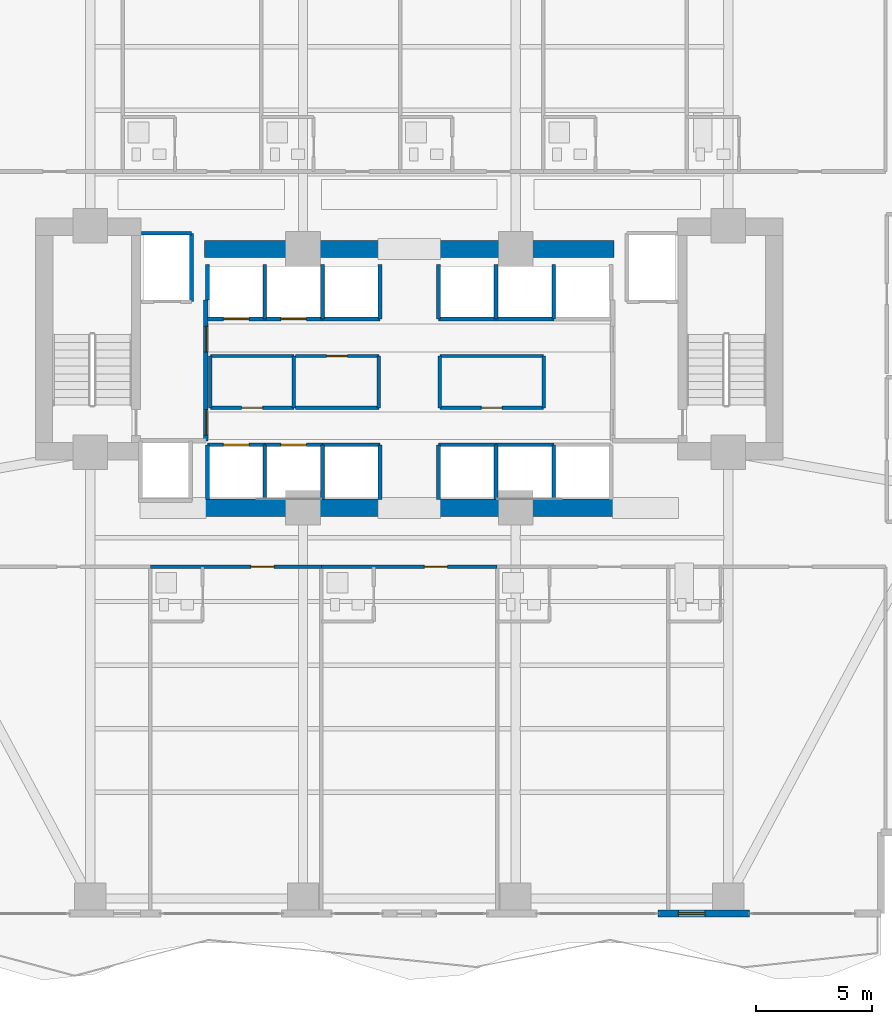
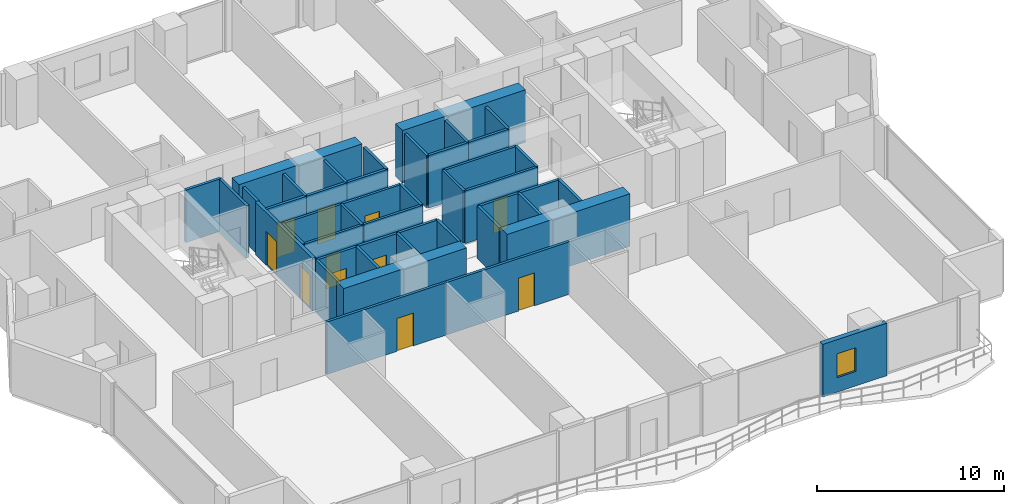
# One storey, part 22 of 29: 45 walls, 11 doors, 1 window, 12 openings.
"""IFC4 building model written with IfcOpenShell, lengths in metres."""

from ifc_helpers import new_model, si_unit, direction, frame, frame_2d, origin, place, context, subcontext, project, spatial, rectangle, extrude, material, layer, layer_set, type_object, element, fill, save


model = new_model("IFC4")

# Units and contexts
model_context = context("Model", 3, precision=1e-05, world=origin(), true_north=direction((0.0, 1.0)))
body_context = subcontext(model_context, "Body", "Model", "MODEL_VIEW")
ifc_project = project(units=[si_unit("LENGTHUNIT", "METRE"), si_unit("AREAUNIT", "SQUARE_METRE"), si_unit("VOLUMEUNIT", "CUBIC_METRE"), si_unit("PLANEANGLEUNIT", "RADIAN"), si_unit("MASSUNIT", "GRAM", prefix="KILO")], contexts=[model_context])

# Site, building, storey
site_placement = place(None, origin())
site = spatial("IfcSite", under=ifc_project, at=site_placement, CompositionType="ELEMENT")
building_placement = place(site_placement, origin())
building = spatial("IfcBuilding", under=site, at=building_placement, Name="Zuhayl Quay Hotel", CompositionType="ELEMENT")
storey_placement = place(building_placement, frame((0.0, 0.0, 95.64990234375)))
storey = spatial("IfcBuildingStorey", under=building, at=storey_placement, Name="L23", CompositionType="ELEMENT", Elevation=95.64990234375)

# Walls
ifc_material_1 = material(Name="Concrete C60/75", Category="concrete")
ifc_layer_1 = layer(ifc_material_1, 0.75, Name="Concrete C60/75", Category="concrete")
ifc_layer_set_1 = layer_set([ifc_layer_1], Name="Concrete C60/75")
wall_type_1 = type_object("IfcWallType", Name="WL_CORE_750", PredefinedType="SHEAR", material=ifc_layer_set_1)
for number, where, z_axis, x_axis, name in (
    (1, (-8.85009765625, 2.14990234375, 0.0), (0.0, 0.0, 1.0), (1.0, 0.0, 0.0), "L23 Core Shear Wall CW_SC_W"),
    (2, (1.25, 2.14990234375, 0.0), (0.0, 0.0, 1.0), (1.0, 0.0, 0.0), "L23 Core Shear Wall CW_SC_E"),
    (3, (-8.85009765625, 13.35009765625, 0.0), (0.0, 0.0, 1.0), (1.0, 0.0, 0.0), "L23 Core Shear Wall CW_NC_W"),
    (4, (1.25, 13.35009765625, 0.0), (0.0, 0.0, 1.0), (1.0, 0.0, 0.0), "L23 Core Shear Wall CW_NC_E"),
):
    element("IfcWall", number, at=place(storey_placement, frame(where, z_axis=z_axis, x_axis=x_axis)), inside=storey, type_object=wall_type_1, Name=name, PredefinedType="SHEAR", context=body_context, shape_type="SweptSolid", body=[
        extrude(rectangle(XDim=7.60009765625, YDim=0.75, at=frame_2d((3.800048828125, 0.0))), origin(), (0.0, 0.0, 1.0), 3.43017578125),
    ])

# Wall, opening, window
ifc_material_2 = material(Name="Precast concrete C45/55", Category="concrete")
ifc_layer_2 = layer(ifc_material_2, 0.300048828125, Name="Precast concrete C45/55", Category="concrete")
ifc_layer_set_2 = layer_set([ifc_layer_2], Name="Precast concrete C45/55")
wall_type_2 = type_object("IfcWallType", Name="WL_EXT_300", PredefinedType="STANDARD", material=ifc_layer_set_2)
wall_1_placement = place(storey_placement, frame((14.719970703125, -15.39990234375, 0.0), z_axis=(0.0, 0.0, 1.0), x_axis=(-1.0, 0.0, 0.0)))
wall_1 = element("IfcWall", 5, at=wall_1_placement, inside=storey, type_object=wall_type_2, Name="L23 Exterior Precast Wall ENV_L23_S_EW2", PredefinedType="STANDARD", context=body_context, shape_type="SweptSolid", body=[
    extrude(rectangle(XDim=3.969970703125, YDim=0.300048828125, at=frame_2d((1.98486328125, 0.0))), origin(), (0.0, 0.0, 1.0), 3.43017578125),
])
opening_1_placement = place(wall_1_placement, frame((1.93505859375, 0.0, 0.949951171875)))
opening_1 = element("IfcOpeningElement", 6, at=opening_1_placement, cuts=wall_1, Name="Opening W01N", PredefinedType="OPENING", context=body_context, shape_type="SweptSolid", body=[
    extrude(rectangle(XDim=1.14990234375, YDim=1.550048828125, at=frame_2d((0.574951171875, 0.77490234375))), frame((0.0, 0.159912109375, 0.0), z_axis=(0.0, -1.0, 0.0), x_axis=(1.0, 0.0, 0.0)), (0.0, 0.0, 1.0), 0.320068359375),
])
ifc_material_3 = material(Name="Dark Ceramic-Fritted Solar Glass", Category="glass")
window_type = type_object("IfcWindowType", Name="WN_NOTCH_1350", PartitioningType="SINGLE_PANEL", PredefinedType="WINDOW", material=ifc_material_3)
window_placement = place(opening_1_placement, origin())
window = element("IfcWindow", 7, at=window_placement, inside=storey, type_object=window_type, Name="L23 Operable Facade Window 2-1", OverallHeight=1.550048828125, OverallWidth=1.14990234375, PartitioningType="SINGLE_PANEL", PredefinedType="WINDOW", context=body_context, shape_type="SweptSolid", body=[
    extrude(rectangle(XDim=1.14990234375, YDim=1.550048828125, at=frame_2d((0.574951171875, 0.77490234375))), frame((0.0, 0.030029296875, 0.0), z_axis=(0.0, -1.0, 0.0), x_axis=(1.0, 0.0, 0.0)), (0.0, 0.0, 1.0), 0.06005859375),
])
fill(opening_1, window)

# Wall, opening, door
ifc_material_4 = material(Name="Acoustic Gypsum Partition STC-58")
ifc_layer_3 = layer(ifc_material_4, 0.14990234375, Name="Acoustic Gypsum Partition STC-58")
ifc_layer_set_3 = layer_set([ifc_layer_3], Name="Acoustic Gypsum Partition STC-58")
wall_type_3 = type_object("IfcWallType", Name="WL_PART_150", PredefinedType="PARTITIONING", material=ifc_layer_set_3)
wall_2_placement = place(storey_placement, frame((-8.610107421875, 6.47998046875, 0.0), z_axis=(0.0, 0.0, 1.0), x_axis=(1.0, 0.0, 0.0)))
wall_2 = element("IfcWall", 8, at=wall_2_placement, inside=storey, type_object=wall_type_3, Name="L23 Partition IW_L23_CORE_SW_S", PredefinedType="PARTITIONING", context=body_context, shape_type="SweptSolid", body=[
    extrude(rectangle(XDim=3.6201171875, YDim=0.14990234375, at=frame_2d((1.81005859375, 0.0))), origin(), (0.0, 0.0, 1.0), 3.43017578125),
])
opening_2_placement = place(wall_2_placement, frame((1.360107421875, 0.0, 0.0)))
opening_2 = element("IfcOpeningElement", 9, at=opening_2_placement, cuts=wall_2, Name="Opening D06", PredefinedType="OPENING", context=body_context, shape_type="SweptSolid", body=[
    extrude(rectangle(XDim=0.89990234375, YDim=2.14990234375, at=frame_2d((0.449951171875, 1.074951171875))), frame((0.0, 0.0849609375, 0.0), z_axis=(0.0, -1.0, 0.0), x_axis=(1.0, 0.0, 0.0)), (0.0, 0.0, 1.0), 0.169921875),
])
ifc_material_5 = material(Name="Steel ASTM A992 Grade 50", Category="steel")
door_type_1 = type_object("IfcDoorType", Name="DR_INT_900", OperationType="NOTDEFINED", PredefinedType="DOOR", material=ifc_material_5)
door_1_placement = place(opening_2_placement, origin())
door_1 = element("IfcDoor", 10, at=door_1_placement, inside=storey, type_object=door_type_1, Name="L23 Floor Switchgear Closet Door", OperationType="SINGLE_SWING_LEFT", OverallHeight=2.14990234375, OverallWidth=0.89990234375, PredefinedType="DOOR", context=body_context, shape_type="SweptSolid", body=[
    extrude(rectangle(XDim=0.89990234375, YDim=2.14990234375, at=frame_2d((0.449951171875, 1.074951171875))), frame((0.0, 0.02490234375, 0.0), z_axis=(0.0, -1.0, 0.0), x_axis=(1.0, 0.0, 0.0)), (0.0, 0.0, 1.0), 0.050048828125),
])
fill(opening_2, door_1)

wall_3_placement = place(storey_placement, frame((-4.929931640625, 8.719970703125, 0.0), z_axis=(0.0, 0.0, 1.0), x_axis=(1.0, 0.0, 0.0)))
wall_3 = element("IfcWall", 11, at=wall_3_placement, inside=storey, type_object=wall_type_3, Name="L23 Partition IW_L23_CORE_BM_N", PredefinedType="PARTITIONING", context=body_context, shape_type="SweptSolid", body=[
    extrude(rectangle(XDim=3.60986328125, YDim=0.14990234375, at=frame_2d((1.804931640625, 0.0))), origin(), (0.0, 0.0, 1.0), 3.43017578125),
])
opening_3_placement = place(wall_3_placement, frame((1.35498046875, 0.0, 0.0)))
opening_3 = element("IfcOpeningElement", 12, at=opening_3_placement, cuts=wall_3, Name="Opening D06", PredefinedType="OPENING", context=body_context, shape_type="SweptSolid", body=[
    extrude(rectangle(XDim=0.89990234375, YDim=2.14990234375, at=frame_2d((0.449951171875, 1.074951171875))), frame((0.0, 0.0849609375, 0.0), z_axis=(0.0, -1.0, 0.0), x_axis=(1.0, 0.0, 0.0)), (0.0, 0.0, 1.0), 0.169921875),
])
door_2_placement = place(opening_3_placement, origin())
door_2 = element("IfcDoor", 13, at=door_2_placement, inside=storey, type_object=door_type_1, Name="L23 Telecom and BMS Closet Door", OperationType="SINGLE_SWING_RIGHT", OverallHeight=2.14990234375, OverallWidth=0.89990234375, PredefinedType="DOOR", context=body_context, shape_type="SweptSolid", body=[
    extrude(rectangle(XDim=0.89990234375, YDim=2.14990234375, at=frame_2d((0.449951171875, 1.074951171875))), frame((0.0, 0.02490234375, 0.0), z_axis=(0.0, -1.0, 0.0), x_axis=(1.0, 0.0, 0.0)), (0.0, 0.0, 1.0), 0.050048828125),
])
fill(opening_3, door_2)

wall_4_placement = place(storey_placement, frame((1.320068359375, 6.47998046875, 0.0), z_axis=(0.0, 0.0, 1.0), x_axis=(1.0, 0.0, 0.0)))
wall_4 = element("IfcWall", 14, at=wall_4_placement, inside=storey, type_object=wall_type_3, Name="L23 Partition IW_L23_CORE_PN_S", PredefinedType="PARTITIONING", context=body_context, shape_type="SweptSolid", body=[
    extrude(rectangle(XDim=4.489990234375, YDim=0.14990234375, at=frame_2d((2.2451171875, 0.0))), origin(), (0.0, 0.0, 1.0), 3.43017578125),
])
opening_4_placement = place(wall_4_placement, frame((1.794921875, 0.0, 0.0)))
opening_4 = element("IfcOpeningElement", 15, at=opening_4_placement, cuts=wall_4, Name="Opening D06", PredefinedType="OPENING", context=body_context, shape_type="SweptSolid", body=[
    extrude(rectangle(XDim=0.89990234375, YDim=2.14990234375, at=frame_2d((0.449951171875, 1.074951171875))), frame((0.0, 0.0849609375, 0.0), z_axis=(0.0, -1.0, 0.0), x_axis=(1.0, 0.0, 0.0)), (0.0, 0.0, 1.0), 0.169921875),
])
door_3_placement = place(opening_4_placement, origin())
door_3 = element("IfcDoor", 16, at=door_3_placement, inside=storey, type_object=door_type_1, Name="L23 Core Ice and Pantry Room Door", OperationType="SINGLE_SWING_LEFT", OverallHeight=2.14990234375, OverallWidth=0.89990234375, PredefinedType="DOOR", context=body_context, shape_type="SweptSolid", body=[
    extrude(rectangle(XDim=0.89990234375, YDim=2.14990234375, at=frame_2d((0.449951171875, 1.074951171875))), frame((0.0, 0.02490234375, 0.0), z_axis=(0.0, -1.0, 0.0), x_axis=(1.0, 0.0, 0.0)), (0.0, 0.0, 1.0), 0.050048828125),
])
fill(opening_4, door_3)

# Walls
wall_5_placement = place(storey_placement, frame((-8.610107421875, 8.719970703125, 0.0), z_axis=(0.0, 0.0, 1.0), x_axis=(1.0, 0.0, 0.0)))
element("IfcWall", 17, at=wall_5_placement, inside=storey, type_object=wall_type_3, Name="L23 Partition IW_L23_CORE_SW_N", PredefinedType="PARTITIONING", context=body_context, shape_type="SweptSolid", body=[
    extrude(rectangle(XDim=3.6201171875, YDim=0.14990234375, at=frame_2d((1.81005859375, 0.0))), origin(), (0.0, 0.0, 1.0), 3.43017578125),
])
for number, where, z_axis, x_axis, name in (
    (18, (-8.610107421875, 6.47998046875, 0.0), (0.0, 0.0, 1.0), (0.0, 1.0, 0.0), "L23 Partition IW_L23_CORE_SW_W"),
    (19, (-4.989990234375, 6.47998046875, 0.0), (0.0, 0.0, 1.0), (0.0, 1.0, 0.0), "L23 Partition IW_L23_CORE_SW_E"),
):
    element("IfcWall", number, at=place(storey_placement, frame(where, z_axis=z_axis, x_axis=x_axis)), inside=storey, type_object=wall_type_3, Name=name, PredefinedType="PARTITIONING", context=body_context, shape_type="SweptSolid", body=[
        extrude(rectangle(XDim=2.239990234375, YDim=0.14990234375, at=frame_2d((1.1201171875, 0.0))), origin(), (0.0, 0.0, 1.0), 3.43017578125),
    ])
wall_6_placement = place(storey_placement, frame((-4.929931640625, 6.47998046875, 0.0), z_axis=(0.0, 0.0, 1.0), x_axis=(1.0, 0.0, 0.0)))
element("IfcWall", 20, at=wall_6_placement, inside=storey, type_object=wall_type_3, Name="L23 Partition IW_L23_CORE_BM_S", PredefinedType="PARTITIONING", context=body_context, shape_type="SweptSolid", body=[
    extrude(rectangle(XDim=3.60986328125, YDim=0.14990234375, at=frame_2d((1.804931640625, 0.0))), origin(), (0.0, 0.0, 1.0), 3.43017578125),
])
wall_7_placement = place(storey_placement, frame((-1.320068359375, 6.47998046875, 0.0), z_axis=(0.0, 0.0, 1.0), x_axis=(0.0, 1.0, 0.0)))
element("IfcWall", 21, at=wall_7_placement, inside=storey, type_object=wall_type_3, Name="L23 Partition IW_L23_CORE_BM_E", PredefinedType="PARTITIONING", context=body_context, shape_type="SweptSolid", body=[
    extrude(rectangle(XDim=2.239990234375, YDim=0.14990234375, at=frame_2d((1.1201171875, 0.0))), origin(), (0.0, 0.0, 1.0), 3.43017578125),
])
wall_8_placement = place(storey_placement, frame((1.320068359375, 8.719970703125, 0.0), z_axis=(0.0, 0.0, 1.0), x_axis=(1.0, 0.0, 0.0)))
element("IfcWall", 22, at=wall_8_placement, inside=storey, type_object=wall_type_3, Name="L23 Partition IW_L23_CORE_PN_N", PredefinedType="PARTITIONING", context=body_context, shape_type="SweptSolid", body=[
    extrude(rectangle(XDim=4.489990234375, YDim=0.14990234375, at=frame_2d((2.2451171875, 0.0))), origin(), (0.0, 0.0, 1.0), 3.43017578125),
])
for number, where, z_axis, x_axis, name in (
    (23, (1.320068359375, 6.47998046875, 0.0), (0.0, 0.0, 1.0), (0.0, 1.0, 0.0), "L23 Partition IW_L23_CORE_PN_W"),
    (24, (5.81005859375, 6.47998046875, 0.0), (0.0, 0.0, 1.0), (0.0, 1.0, 0.0), "L23 Partition IW_L23_CORE_PN_E"),
):
    element("IfcWall", number, at=place(storey_placement, frame(where, z_axis=z_axis, x_axis=x_axis)), inside=storey, type_object=wall_type_3, Name=name, PredefinedType="PARTITIONING", context=body_context, shape_type="SweptSolid", body=[
        extrude(rectangle(XDim=2.239990234375, YDim=0.14990234375, at=frame_2d((1.1201171875, 0.0))), origin(), (0.0, 0.0, 1.0), 3.43017578125),
    ])

# Wall, opening, door
ifc_layer_4 = layer(ifc_material_4, 0.159912109375, Name="Acoustic Gypsum Partition STC-58")
ifc_layer_set_4 = layer_set([ifc_layer_4], Name="Acoustic Gypsum Partition STC-58")
wall_type_4 = type_object("IfcWallType", Name="WL_PART_CORR_160", PredefinedType="PARTITIONING", material=ifc_layer_set_4)
wall_9_placement = place(storey_placement, frame((-11.199951171875, -0.39990234375, 0.0), z_axis=(0.0, 0.0, 1.0), x_axis=(1.0, 0.0, 0.0)))
wall_9 = element("IfcWall", 25, at=wall_9_placement, inside=storey, type_object=wall_type_4, Name="L23 Partition IW_L23_SU02_COR", PredefinedType="PARTITIONING", context=body_context, shape_type="SweptSolid", body=[
    extrude(rectangle(XDim=7.39990234375, YDim=0.159912109375, at=frame_2d((3.699951171875, 0.0))), origin(), (0.0, 0.0, 1.0), 3.43017578125),
])
opening_5_placement = place(wall_9_placement, frame((4.35009765625, 0.0, 0.0)))
opening_5 = element("IfcOpeningElement", 26, at=opening_5_placement, cuts=wall_9, Name="Opening D03L", PredefinedType="OPENING", context=body_context, shape_type="SweptSolid", body=[
    extrude(rectangle(XDim=1.0, YDim=2.14990234375, at=frame_2d((0.5, 1.074951171875))), frame((0.0, 0.08984375, 0.0), z_axis=(0.0, -1.0, 0.0), x_axis=(1.0, 0.0, 0.0)), (0.0, 0.0, 1.0), 0.179931640625),
])
ifc_material_6 = material(Name="Solid Walnut Acoustic Fire Door")
door_type_2 = type_object("IfcDoorType", Name="DR_SUITE_1000", OperationType="NOTDEFINED", PredefinedType="DOOR", material=ifc_material_6)
door_4_placement = place(opening_5_placement, origin())
door_4 = element("IfcDoor", 27, at=door_4_placement, inside=storey, type_object=door_type_2, Name="L23 City-View Junior Suite L23-02 Entrance Door", OperationType="SINGLE_SWING_LEFT", OverallHeight=2.14990234375, OverallWidth=1.0, PredefinedType="DOOR", context=body_context, shape_type="SweptSolid", body=[
    extrude(rectangle(XDim=1.0, YDim=2.14990234375, at=frame_2d((0.5, 1.074951171875))), frame((0.0, 0.02490234375, 0.0), z_axis=(0.0, -1.0, 0.0), x_axis=(1.0, 0.0, 0.0)), (0.0, 0.0, 1.0), 0.050048828125),
])
fill(opening_5, door_4)

wall_10_placement = place(storey_placement, frame((-3.800048828125, -0.39990234375, 0.0), z_axis=(0.0, 0.0, 1.0), x_axis=(1.0, 0.0, 0.0)))
wall_10 = element("IfcWall", 28, at=wall_10_placement, inside=storey, type_object=wall_type_4, Name="L23 Partition IW_L23_SU03_COR", PredefinedType="PARTITIONING", context=body_context, shape_type="SweptSolid", body=[
    extrude(rectangle(XDim=7.60009765625, YDim=0.159912109375, at=frame_2d((3.800048828125, 0.0))), origin(), (0.0, 0.0, 1.0), 3.43017578125),
])
opening_6_placement = place(wall_10_placement, frame((4.449951171875, 0.0, 0.0)))
opening_6 = element("IfcOpeningElement", 29, at=opening_6_placement, cuts=wall_10, Name="Opening D03L", PredefinedType="OPENING", context=body_context, shape_type="SweptSolid", body=[
    extrude(rectangle(XDim=1.0, YDim=2.14990234375, at=frame_2d((0.5, 1.074951171875))), frame((0.0, 0.08984375, 0.0), z_axis=(0.0, -1.0, 0.0), x_axis=(1.0, 0.0, 0.0)), (0.0, 0.0, 1.0), 0.179931640625),
])
door_5_placement = place(opening_6_placement, origin())
door_5 = element("IfcDoor", 30, at=door_5_placement, inside=storey, type_object=door_type_2, Name="L23 City-View Junior Suite L23-03 Entrance Door", OperationType="SINGLE_SWING_LEFT", OverallHeight=2.14990234375, OverallWidth=1.0, PredefinedType="DOOR", context=body_context, shape_type="SweptSolid", body=[
    extrude(rectangle(XDim=1.0, YDim=2.14990234375, at=frame_2d((0.5, 1.074951171875))), frame((0.0, 0.02490234375, 0.0), z_axis=(0.0, -1.0, 0.0), x_axis=(1.0, 0.0, 0.0)), (0.0, 0.0, 1.0), 0.050048828125),
])
fill(opening_6, door_5)

ifc_material_7 = material(Name="Gypsum Fireboard Assembly EI-90")
ifc_layer_5 = layer(ifc_material_7, 0.1650390625, Name="Gypsum Fireboard Assembly EI-90")
ifc_layer_set_5 = layer_set([ifc_layer_5], Name="Gypsum Fireboard Assembly EI-90")
wall_type_5 = type_object("IfcWallType", Name="WL_PART_SHAFT_160", PredefinedType="PARTITIONING", material=ifc_layer_set_5)
wall_11_placement = place(storey_placement, frame((-8.72998046875, 4.8798828125, 0.0), z_axis=(0.0, 0.0, 1.0), x_axis=(1.0, 0.0, 0.0)))
wall_11 = element("IfcWall", 31, at=wall_11_placement, inside=storey, type_object=wall_type_5, Name="L23 Partition IW_L23_SH_LP1_F", PredefinedType="PARTITIONING", context=body_context, shape_type="SweptSolid", body=[
    extrude(rectangle(XDim=2.47998046875, YDim=0.1650390625, at=frame_2d((1.239990234375, 0.0))), origin(), (0.0, 0.0, 1.0), 3.43017578125),
])
opening_7_placement = place(wall_11_placement, frame((0.68994140625, 0.0, 0.0)))
opening_7 = element("IfcOpeningElement", 32, at=opening_7_placement, cuts=wall_11, Name="Opening LD1", PredefinedType="OPENING", context=body_context, shape_type="SweptSolid", body=[
    extrude(rectangle(XDim=1.10009765625, YDim=2.25, at=frame_2d((0.550048828125, 1.125))), frame((0.0, 0.092529296875, 0.0), z_axis=(0.0, -1.0, 0.0), x_axis=(1.0, 0.0, 0.0)), (0.0, 0.0, 1.0), 0.18505859375),
])
ifc_material_8 = material(Name="Brushed Stainless Steel", Category="steel")
door_type_3 = type_object("IfcDoorType", Name="DR_LIFT_PASS_1100", OperationType="SLIDING_TO_LEFT", PredefinedType="DOOR", material=ifc_material_8)
door_6_placement = place(opening_7_placement, origin())
door_6 = element("IfcDoor", 33, at=door_6_placement, inside=storey, type_object=door_type_3, Name="L23 Lift LP1 Sliding Landing Door", OperationType="SLIDING_TO_LEFT", OverallHeight=2.25, OverallWidth=1.10009765625, PredefinedType="DOOR", context=body_context, shape_type="SweptSolid", body=[
    extrude(rectangle(XDim=1.10009765625, YDim=2.25, at=frame_2d((0.550048828125, 1.125))), frame((0.0, 0.02490234375, 0.0), z_axis=(0.0, -1.0, 0.0), x_axis=(1.0, 0.0, 0.0)), (0.0, 0.0, 1.0), 0.050048828125),
])
fill(opening_7, door_6)

wall_12_placement = place(storey_placement, frame((-6.25, 4.8798828125, 0.0), z_axis=(0.0, 0.0, 1.0), x_axis=(1.0, 0.0, 0.0)))
wall_12 = element("IfcWall", 34, at=wall_12_placement, inside=storey, type_object=wall_type_5, Name="L23 Partition IW_L23_SH_LP2_F", PredefinedType="PARTITIONING", context=body_context, shape_type="SweptSolid", body=[
    extrude(rectangle(XDim=2.5, YDim=0.1650390625, at=frame_2d((1.25, 0.0))), origin(), (0.0, 0.0, 1.0), 3.43017578125),
])
opening_8_placement = place(wall_12_placement, frame((0.699951171875, 0.0, 0.0)))
opening_8 = element("IfcOpeningElement", 35, at=opening_8_placement, cuts=wall_12, Name="Opening LD1", PredefinedType="OPENING", context=body_context, shape_type="SweptSolid", body=[
    extrude(rectangle(XDim=1.10009765625, YDim=2.25, at=frame_2d((0.550048828125, 1.125))), frame((0.0, 0.092529296875, 0.0), z_axis=(0.0, -1.0, 0.0), x_axis=(1.0, 0.0, 0.0)), (0.0, 0.0, 1.0), 0.18505859375),
])
door_7_placement = place(opening_8_placement, origin())
door_7 = element("IfcDoor", 36, at=door_7_placement, inside=storey, type_object=door_type_3, Name="L23 Lift LP2 Sliding Landing Door", OperationType="SLIDING_TO_LEFT", OverallHeight=2.25, OverallWidth=1.10009765625, PredefinedType="DOOR", context=body_context, shape_type="SweptSolid", body=[
    extrude(rectangle(XDim=1.10009765625, YDim=2.25, at=frame_2d((0.550048828125, 1.125))), frame((0.0, 0.02490234375, 0.0), z_axis=(0.0, -1.0, 0.0), x_axis=(1.0, 0.0, 0.0)), (0.0, 0.0, 1.0), 0.050048828125),
])
fill(opening_8, door_7)

wall_13_placement = place(storey_placement, frame((-8.72998046875, 10.320068359375, 0.0), z_axis=(0.0, 0.0, 1.0), x_axis=(1.0, 0.0, 0.0)))
wall_13 = element("IfcWall", 37, at=wall_13_placement, inside=storey, type_object=wall_type_5, Name="L23 Partition IW_L23_SH_LP3_F", PredefinedType="PARTITIONING", context=body_context, shape_type="SweptSolid", body=[
    extrude(rectangle(XDim=2.47998046875, YDim=0.1650390625, at=frame_2d((1.239990234375, 0.0))), origin(), (0.0, 0.0, 1.0), 3.43017578125),
])
opening_9_placement = place(wall_13_placement, frame((0.68994140625, 0.0, 0.0)))
opening_9 = element("IfcOpeningElement", 38, at=opening_9_placement, cuts=wall_13, Name="Opening LD1", PredefinedType="OPENING", context=body_context, shape_type="SweptSolid", body=[
    extrude(rectangle(XDim=1.10009765625, YDim=2.25, at=frame_2d((0.550048828125, 1.125))), frame((0.0, 0.092529296875, 0.0), z_axis=(0.0, -1.0, 0.0), x_axis=(1.0, 0.0, 0.0)), (0.0, 0.0, 1.0), 0.18505859375),
])
door_8_placement = place(opening_9_placement, origin())
door_8 = element("IfcDoor", 39, at=door_8_placement, inside=storey, type_object=door_type_3, Name="L23 Lift LP3 Sliding Landing Door", OperationType="SLIDING_TO_LEFT", OverallHeight=2.25, OverallWidth=1.10009765625, PredefinedType="DOOR", context=body_context, shape_type="SweptSolid", body=[
    extrude(rectangle(XDim=1.10009765625, YDim=2.25, at=frame_2d((0.550048828125, 1.125))), frame((0.0, 0.02490234375, 0.0), z_axis=(0.0, -1.0, 0.0), x_axis=(1.0, 0.0, 0.0)), (0.0, 0.0, 1.0), 0.050048828125),
])
fill(opening_9, door_8)

wall_14_placement = place(storey_placement, frame((-6.25, 10.320068359375, 0.0), z_axis=(0.0, 0.0, 1.0), x_axis=(1.0, 0.0, 0.0)))
wall_14 = element("IfcWall", 40, at=wall_14_placement, inside=storey, type_object=wall_type_5, Name="L23 Partition IW_L23_SH_LP4_F", PredefinedType="PARTITIONING", context=body_context, shape_type="SweptSolid", body=[
    extrude(rectangle(XDim=2.5, YDim=0.1650390625, at=frame_2d((1.25, 0.0))), origin(), (0.0, 0.0, 1.0), 3.43017578125),
])
opening_10_placement = place(wall_14_placement, frame((0.699951171875, 0.0, 0.0)))
opening_10 = element("IfcOpeningElement", 41, at=opening_10_placement, cuts=wall_14, Name="Opening LD1", PredefinedType="OPENING", context=body_context, shape_type="SweptSolid", body=[
    extrude(rectangle(XDim=1.10009765625, YDim=2.25, at=frame_2d((0.550048828125, 1.125))), frame((0.0, 0.092529296875, 0.0), z_axis=(0.0, -1.0, 0.0), x_axis=(1.0, 0.0, 0.0)), (0.0, 0.0, 1.0), 0.18505859375),
])
door_9_placement = place(opening_10_placement, origin())
door_9 = element("IfcDoor", 42, at=door_9_placement, inside=storey, type_object=door_type_3, Name="L23 Lift LP4 Sliding Landing Door", OperationType="SLIDING_TO_LEFT", OverallHeight=2.25, OverallWidth=1.10009765625, PredefinedType="DOOR", context=body_context, shape_type="SweptSolid", body=[
    extrude(rectangle(XDim=1.10009765625, YDim=2.25, at=frame_2d((0.550048828125, 1.125))), frame((0.0, 0.02490234375, 0.0), z_axis=(0.0, -1.0, 0.0), x_axis=(1.0, 0.0, 0.0)), (0.0, 0.0, 1.0), 0.050048828125),
])
fill(opening_10, door_9)

# Walls
wall_15_placement = place(storey_placement, frame((-9.419921875, 11.070068359375, 0.0), z_axis=(0.0, 0.0, 1.0), x_axis=(0.0, 1.0, 0.0)))
element("IfcWall", 43, at=wall_15_placement, inside=storey, type_object=wall_type_5, Name="L23 Partition IW_L23_SH_FL1_E", PredefinedType="PARTITIONING", context=body_context, shape_type="SweptSolid", body=[
    extrude(rectangle(XDim=2.9599609375, YDim=0.1650390625, at=frame_2d((1.47998046875, 0.0))), origin(), (0.0, 0.0, 1.0), 3.43017578125),
])
wall_16_placement = place(storey_placement, frame((-11.580078125, 14.030029296875, 0.0), z_axis=(0.0, 0.0, 1.0), x_axis=(1.0, 0.0, 0.0)))
element("IfcWall", 44, at=wall_16_placement, inside=storey, type_object=wall_type_5, Name="L23 Partition IW_L23_SH_FL1_B", PredefinedType="PARTITIONING", context=body_context, shape_type="SweptSolid", body=[
    extrude(rectangle(XDim=2.16015625, YDim=0.1650390625, at=frame_2d((1.080078125, 0.0))), origin(), (0.0, 0.0, 1.0), 3.43017578125),
])
for number, where, z_axis, x_axis, name in (
    (45, (-8.72998046875, 2.52001953125, 0.0), (0.0, 0.0, 1.0), (0.0, 1.0, 0.0), "L23 Partition IW_L23_SH_LP1_W"),
    (46, (-6.25, 2.52001953125, 0.0), (0.0, 0.0, 1.0), (0.0, 1.0, 0.0), "L23 Partition IW_L23_SH_LP1_E"),
    (47, (-3.75, 2.52001953125, 0.0), (0.0, 0.0, 1.0), (0.0, 1.0, 0.0), "L23 Partition IW_L23_SH_LP2_E"),
):
    element("IfcWall", number, at=place(storey_placement, frame(where, z_axis=z_axis, x_axis=x_axis)), inside=storey, type_object=wall_type_5, Name=name, PredefinedType="PARTITIONING", context=body_context, shape_type="SweptSolid", body=[
        extrude(rectangle(XDim=2.35986328125, YDim=0.1650390625, at=frame_2d((1.179931640625, 0.0))), origin(), (0.0, 0.0, 1.0), 3.43017578125),
    ])
wall_17_placement = place(storey_placement, frame((-8.72998046875, 11.14990234375, 0.0), z_axis=(0.0, 0.0, 1.0), x_axis=(0.0, 1.0, 0.0)))
element("IfcWall", 48, at=wall_17_placement, inside=storey, type_object=wall_type_5, Name="L23 Partition IW_L23_SH_LP3_W", PredefinedType="PARTITIONING", context=body_context, shape_type="SweptSolid", body=[
    extrude(rectangle(XDim=1.530029296875, YDim=0.1650390625, at=frame_2d((0.76513671875, 0.0))), origin(), (0.0, 0.0, 1.0), 3.43017578125),
])
for number, where, z_axis, x_axis, name in (
    (49, (-6.25, 10.320068359375, 0.0), (0.0, 0.0, 1.0), (0.0, 1.0, 0.0), "L23 Partition IW_L23_SH_LP3_E"),
    (50, (-3.75, 10.320068359375, 0.0), (0.0, 0.0, 1.0), (0.0, 1.0, 0.0), "L23 Partition IW_L23_SH_LP4_E"),
):
    element("IfcWall", number, at=place(storey_placement, frame(where, z_axis=z_axis, x_axis=x_axis)), inside=storey, type_object=wall_type_5, Name=name, PredefinedType="PARTITIONING", context=body_context, shape_type="SweptSolid", body=[
        extrude(rectangle(XDim=2.35986328125, YDim=0.1650390625, at=frame_2d((1.179931640625, 0.0))), origin(), (0.0, 0.0, 1.0), 3.43017578125),
    ])
wall_18_placement = place(storey_placement, frame((-3.75, 4.8798828125, 0.0), z_axis=(0.0, 0.0, 1.0), x_axis=(1.0, 0.0, 0.0)))
element("IfcWall", 51, at=wall_18_placement, inside=storey, type_object=wall_type_5, Name="L23 Partition IW_L23_SH_MP1_F", PredefinedType="PARTITIONING", context=body_context, shape_type="SweptSolid", body=[
    extrude(rectangle(XDim=2.47998046875, YDim=0.1650390625, at=frame_2d((1.239990234375, 0.0))), origin(), (0.0, 0.0, 1.0), 3.43017578125),
])
wall_19_placement = place(storey_placement, frame((-1.27001953125, 2.52001953125, 0.0), z_axis=(0.0, 0.0, 1.0), x_axis=(0.0, 1.0, 0.0)))
element("IfcWall", 52, at=wall_19_placement, inside=storey, type_object=wall_type_5, Name="L23 Partition IW_L23_SH_MP1_E", PredefinedType="PARTITIONING", context=body_context, shape_type="SweptSolid", body=[
    extrude(rectangle(XDim=2.35986328125, YDim=0.1650390625, at=frame_2d((1.179931640625, 0.0))), origin(), (0.0, 0.0, 1.0), 3.43017578125),
])
wall_20_placement = place(storey_placement, frame((1.27001953125, 4.8798828125, 0.0), z_axis=(0.0, 0.0, 1.0), x_axis=(1.0, 0.0, 0.0)))
element("IfcWall", 53, at=wall_20_placement, inside=storey, type_object=wall_type_5, Name="L23 Partition IW_L23_SH_MP2_F", PredefinedType="PARTITIONING", context=body_context, shape_type="SweptSolid", body=[
    extrude(rectangle(XDim=2.47998046875, YDim=0.1650390625, at=frame_2d((1.239990234375, 0.0))), origin(), (0.0, 0.0, 1.0), 3.43017578125),
])
for number, where, z_axis, x_axis, name in (
    (54, (1.27001953125, 2.52001953125, 0.0), (0.0, 0.0, 1.0), (0.0, 1.0, 0.0), "L23 Partition IW_L23_SH_MP2_W"),
    (55, (3.75, 2.52001953125, 0.0), (0.0, 0.0, 1.0), (0.0, 1.0, 0.0), "L23 Partition IW_L23_SH_MP2_E"),
):
    element("IfcWall", number, at=place(storey_placement, frame(where, z_axis=z_axis, x_axis=x_axis)), inside=storey, type_object=wall_type_5, Name=name, PredefinedType="PARTITIONING", context=body_context, shape_type="SweptSolid", body=[
        extrude(rectangle(XDim=2.35986328125, YDim=0.1650390625, at=frame_2d((1.179931640625, 0.0))), origin(), (0.0, 0.0, 1.0), 3.43017578125),
    ])
wall_21_placement = place(storey_placement, frame((-3.75, 10.320068359375, 0.0), z_axis=(0.0, 0.0, 1.0), x_axis=(1.0, 0.0, 0.0)))
element("IfcWall", 56, at=wall_21_placement, inside=storey, type_object=wall_type_5, Name="L23 Partition IW_L23_SH_MP3_F", PredefinedType="PARTITIONING", context=body_context, shape_type="SweptSolid", body=[
    extrude(rectangle(XDim=2.47998046875, YDim=0.1650390625, at=frame_2d((1.239990234375, 0.0))), origin(), (0.0, 0.0, 1.0), 3.43017578125),
])
wall_22_placement = place(storey_placement, frame((-1.27001953125, 10.320068359375, 0.0), z_axis=(0.0, 0.0, 1.0), x_axis=(0.0, 1.0, 0.0)))
element("IfcWall", 57, at=wall_22_placement, inside=storey, type_object=wall_type_5, Name="L23 Partition IW_L23_SH_MP3_E", PredefinedType="PARTITIONING", context=body_context, shape_type="SweptSolid", body=[
    extrude(rectangle(XDim=2.35986328125, YDim=0.1650390625, at=frame_2d((1.179931640625, 0.0))), origin(), (0.0, 0.0, 1.0), 3.43017578125),
])
wall_23_placement = place(storey_placement, frame((1.27001953125, 10.320068359375, 0.0), z_axis=(0.0, 0.0, 1.0), x_axis=(1.0, 0.0, 0.0)))
element("IfcWall", 58, at=wall_23_placement, inside=storey, type_object=wall_type_5, Name="L23 Partition IW_L23_SH_MP4_F", PredefinedType="PARTITIONING", context=body_context, shape_type="SweptSolid", body=[
    extrude(rectangle(XDim=2.47998046875, YDim=0.1650390625, at=frame_2d((1.239990234375, 0.0))), origin(), (0.0, 0.0, 1.0), 3.43017578125),
])
for number, where, z_axis, x_axis, name in (
    (59, (1.27001953125, 10.320068359375, 0.0), (0.0, 0.0, 1.0), (0.0, 1.0, 0.0), "L23 Partition IW_L23_SH_MP4_W"),
    (60, (3.75, 10.320068359375, 0.0), (0.0, 0.0, 1.0), (0.0, 1.0, 0.0), "L23 Partition IW_L23_SH_MP4_E"),
):
    element("IfcWall", number, at=place(storey_placement, frame(where, z_axis=z_axis, x_axis=x_axis)), inside=storey, type_object=wall_type_5, Name=name, PredefinedType="PARTITIONING", context=body_context, shape_type="SweptSolid", body=[
        extrude(rectangle(XDim=2.35986328125, YDim=0.1650390625, at=frame_2d((1.179931640625, 0.0))), origin(), (0.0, 0.0, 1.0), 3.43017578125),
    ])
wall_24_placement = place(storey_placement, frame((3.75, 4.8798828125, 0.0), z_axis=(0.0, 0.0, 1.0), x_axis=(1.0, 0.0, 0.0)))
element("IfcWall", 61, at=wall_24_placement, inside=storey, type_object=wall_type_5, Name="L23 Partition IW_L23_SH_HP1_F", PredefinedType="PARTITIONING", context=body_context, shape_type="SweptSolid", body=[
    extrude(rectangle(XDim=2.5, YDim=0.1650390625, at=frame_2d((1.25, 0.0))), origin(), (0.0, 0.0, 1.0), 3.43017578125),
])
wall_25_placement = place(storey_placement, frame((6.25, 2.52001953125, 0.0), z_axis=(0.0, 0.0, 1.0), x_axis=(0.0, 1.0, 0.0)))
element("IfcWall", 62, at=wall_25_placement, inside=storey, type_object=wall_type_5, Name="L23 Partition IW_L23_SH_HP1_E", PredefinedType="PARTITIONING", context=body_context, shape_type="SweptSolid", body=[
    extrude(rectangle(XDim=2.35986328125, YDim=0.1650390625, at=frame_2d((1.179931640625, 0.0))), origin(), (0.0, 0.0, 1.0), 3.43017578125),
])
wall_26_placement = place(storey_placement, frame((3.75, 10.320068359375, 0.0), z_axis=(0.0, 0.0, 1.0), x_axis=(1.0, 0.0, 0.0)))
element("IfcWall", 63, at=wall_26_placement, inside=storey, type_object=wall_type_5, Name="L23 Partition IW_L23_SH_HP3_F", PredefinedType="PARTITIONING", context=body_context, shape_type="SweptSolid", body=[
    extrude(rectangle(XDim=2.5, YDim=0.1650390625, at=frame_2d((1.25, 0.0))), origin(), (0.0, 0.0, 1.0), 3.43017578125),
])
wall_27_placement = place(storey_placement, frame((6.25, 10.320068359375, 0.0), z_axis=(0.0, 0.0, 1.0), x_axis=(0.0, 1.0, 0.0)))
element("IfcWall", 64, at=wall_27_placement, inside=storey, type_object=wall_type_5, Name="L23 Partition IW_L23_SH_HP3_E", PredefinedType="PARTITIONING", context=body_context, shape_type="SweptSolid", body=[
    extrude(rectangle(XDim=2.35986328125, YDim=0.1650390625, at=frame_2d((1.179931640625, 0.0))), origin(), (0.0, 0.0, 1.0), 3.43017578125),
])

# Wall, openings, doors
ifc_material_9 = material(Name="Gypsum Fireboard Assembly EI-120")
ifc_layer_6 = layer(ifc_material_9, 0.199951171875, Name="Gypsum Fireboard Assembly EI-120")
ifc_layer_set_6 = layer_set([ifc_layer_6], Name="Gypsum Fireboard Assembly EI-120")
wall_type_6 = type_object("IfcWallType", Name="WL_PART_SHAFT_200", PredefinedType="PARTITIONING", material=ifc_layer_set_6)
wall_28_placement = place(storey_placement, frame((-8.800048828125, 5.050048828125, 0.0), z_axis=(0.0, 0.0, 1.0), x_axis=(0.0, 1.0, 0.0)))
wall_28 = element("IfcWall", 65, at=wall_28_placement, inside=storey, type_object=wall_type_6, Name="L23 Partition IW_L23_FSAE_W_E", PredefinedType="PARTITIONING", context=body_context, shape_type="SweptSolid", body=[
    extrude(rectangle(XDim=6.099853515625, YDim=0.199951171875, at=frame_2d((3.0498046875, 0.0))), origin(), (0.0, 0.0, 1.0), 3.43017578125),
])
opening_11_placement = place(wall_28_placement, frame((0.25, 0.0, 0.0)))
opening_11 = element("IfcOpeningElement", 66, at=opening_11_placement, cuts=wall_28, Name="Opening D02", PredefinedType="OPENING", context=body_context, shape_type="SweptSolid", body=[
    extrude(rectangle(XDim=1.10009765625, YDim=2.199951171875, at=frame_2d((0.550048828125, 1.10009765625))), frame((0.0, 0.10986328125, 0.0), z_axis=(0.0, -1.0, 0.0), x_axis=(1.0, 0.0, 0.0)), (0.0, 0.0, 1.0), 0.219970703125),
])
opening_12_placement = place(wall_28_placement, frame((3.85009765625, 0.0, 0.0)))
opening_12 = element("IfcOpeningElement", 67, at=opening_12_placement, cuts=wall_28, Name="Opening D02", PredefinedType="OPENING", context=body_context, shape_type="SweptSolid", body=[
    extrude(rectangle(XDim=1.10009765625, YDim=2.199951171875, at=frame_2d((0.550048828125, 1.10009765625))), frame((0.0, 0.10986328125, 0.0), z_axis=(0.0, -1.0, 0.0), x_axis=(1.0, 0.0, 0.0)), (0.0, 0.0, 1.0), 0.219970703125),
])
door_type_4 = type_object("IfcDoorType", Name="DR_FIRE_90_1100", OperationType="NOTDEFINED", PredefinedType="DOOR", material=ifc_material_5)
door_10_placement = place(opening_11_placement, origin())
door_10 = element("IfcDoor", 68, at=door_10_placement, inside=storey, type_object=door_type_4, Name="L23 FSAE Lobby West South Entry Door", OperationType="SINGLE_SWING_LEFT", OverallHeight=2.199951171875, OverallWidth=1.10009765625, PredefinedType="DOOR", context=body_context, shape_type="SweptSolid", body=[
    extrude(rectangle(XDim=1.10009765625, YDim=2.199951171875, at=frame_2d((0.550048828125, 1.10009765625))), frame((0.0, 0.02490234375, 0.0), z_axis=(0.0, -1.0, 0.0), x_axis=(1.0, 0.0, 0.0)), (0.0, 0.0, 1.0), 0.050048828125),
])
fill(opening_11, door_10)
door_11_placement = place(opening_12_placement, origin())
door_11 = element("IfcDoor", 69, at=door_11_placement, inside=storey, type_object=door_type_4, Name="L23 FSAE Lobby West North Entry Door", OperationType="SINGLE_SWING_RIGHT", OverallHeight=2.199951171875, OverallWidth=1.10009765625, PredefinedType="DOOR", context=body_context, shape_type="SweptSolid", body=[
    extrude(rectangle(XDim=1.10009765625, YDim=2.199951171875, at=frame_2d((0.550048828125, 1.10009765625))), frame((0.0, 0.02490234375, 0.0), z_axis=(0.0, -1.0, 0.0), x_axis=(1.0, 0.0, 0.0)), (0.0, 0.0, 1.0), 0.050048828125),
])
fill(opening_12, door_11)

save(model, "model.ifc")
